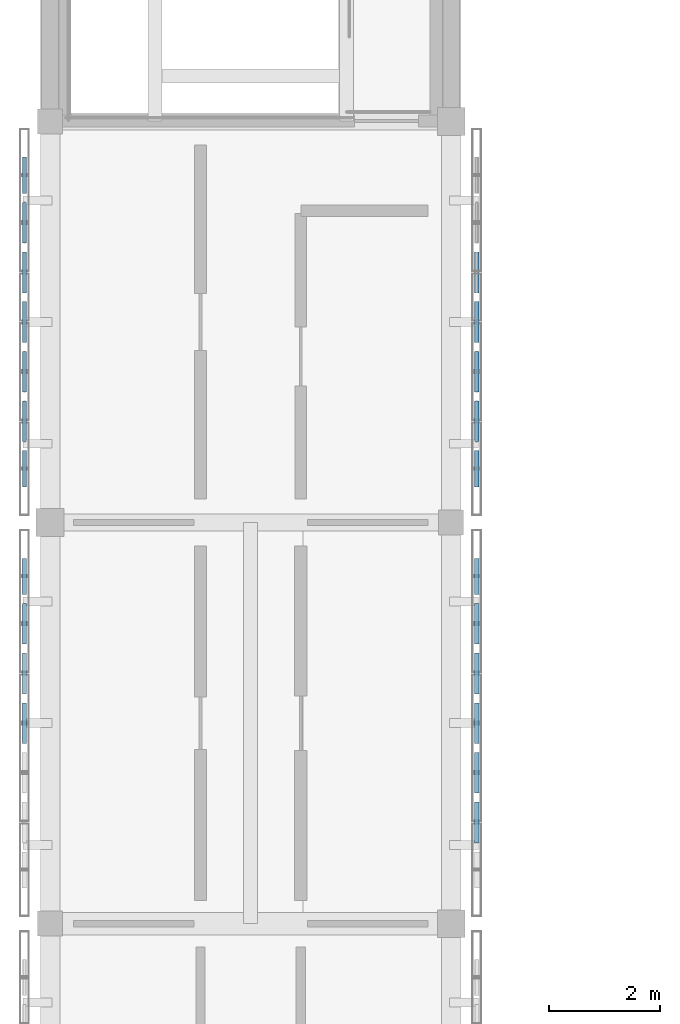
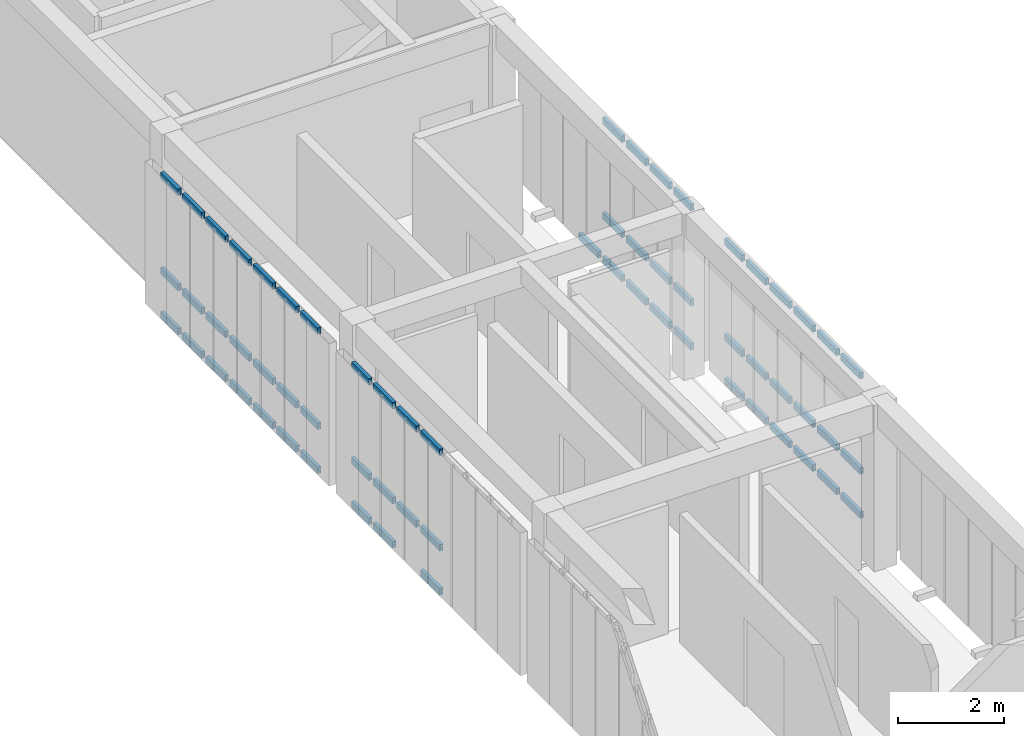
# One storey, part 4 of 14: 63 members, 4 elements without a shape of their own.
"""IFC4 building model written with IfcOpenShell, lengths in metres."""

from ifc_helpers import new_model, si_unit, direction, frame, origin, origin_2d, place, context, subcontext, project, spatial, hollow_rectangle, extrude, material, material_profile, profile_set, type_object, element, aggregate, save


model = new_model("IFC4")

# Units and contexts
model_context = context("Model", 3, precision=1e-05, world=origin(), true_north=direction((0.0, 1.0)))
body_context = subcontext(model_context, "Body", "Model", "MODEL_VIEW")
ifc_project = project(units=[si_unit("LENGTHUNIT", "METRE"), si_unit("AREAUNIT", "SQUARE_METRE"), si_unit("VOLUMEUNIT", "CUBIC_METRE"), si_unit("PLANEANGLEUNIT", "RADIAN"), si_unit("MASSUNIT", "GRAM", prefix="KILO")], contexts=[model_context])

# Site, building, storey
site_placement = place(None, origin())
site = spatial("IfcSite", under=ifc_project, at=site_placement, CompositionType="ELEMENT")
building_placement = place(site_placement, origin())
building = spatial("IfcBuilding", under=site, at=building_placement, Name="Aldebral Square Health Centre", CompositionType="ELEMENT")
storey_placement = place(building_placement, frame((0.0, 0.0, 21.60009765625)))
storey = spatial("IfcBuildingStorey", under=building, at=storey_placement, Name="L05", CompositionType="ELEMENT", Elevation=21.60009765625)

# Curtain wall, members
ifc_material_1 = material(Name="Aluminium and low-E solar glass", Category="aluminium")
curtain_wall_type = type_object("IfcCurtainWallType", Name="CW-FIN-SYS", PredefinedType="USERDEFINED", material=ifc_material_1)
curtain_wall_1_placement = place(storey_placement, origin())
curtain_wall_1 = element("IfcCurtainWall", 1, at=curtain_wall_1_placement, inside=storey, type_object=curtain_wall_type, Name="L05 V4 finned curtain wall L05-V4-00-11-W", ObjectType="SOLAR_CURTAIN_WALL", PredefinedType="USERDEFINED")
ifc_material_2 = material(Name="Anodised aluminium transom", Category="aluminium")
ifc_material_profile = material_profile(ifc_material_2, hollow_rectangle(XDim=0.074951171875, YDim=0.14990234375, WallThickness=0.00390625, at=origin_2d()), Name="CWT 75x150x4")
ifc_profile_set = profile_set([ifc_material_profile], Name="Anodised aluminium transom")
member_type = type_object("IfcMemberType", Name="CWT-STD", PredefinedType="USERDEFINED", material=ifc_profile_set)
member_1_placement = place(storey_placement, frame((-0.4599609375, 85.760009765625, 0.037353515625), z_axis=(0.0, -1.0, 0.0), x_axis=(1.0, 0.0, 0.0)))
member_1 = element("IfcMember", 2, at=member_1_placement, type_object=member_type, Name="CW1 transom 1.1", ObjectType="TRANSOM", PredefinedType="USERDEFINED", context=body_context, shape_type="SweptSolid", body=[
    extrude(hollow_rectangle(XDim=0.074951171875, YDim=0.14990234375, WallThickness=0.00390625, at=origin_2d()), origin(), (0.0, 0.0, 1.0), 0.6513671875),
])
member_2_placement = place(storey_placement, frame((-0.4599609375, 85.760009765625, 1.0498046875), z_axis=(0.0, -1.0, 0.0), x_axis=(1.0, 0.0, 0.0)))
member_2 = element("IfcMember", 3, at=member_2_placement, type_object=member_type, Name="CW1 transom 1.2", ObjectType="TRANSOM", PredefinedType="USERDEFINED", context=body_context, shape_type="SweptSolid", body=[
    extrude(hollow_rectangle(XDim=0.074951171875, YDim=0.14990234375, WallThickness=0.00390625, at=origin_2d()), origin(), (0.0, 0.0, 1.0), 0.6513671875),
])
member_3_placement = place(storey_placement, frame((-0.4599609375, 85.760009765625, 3.242431640625), z_axis=(0.0, -1.0, 0.0), x_axis=(1.0, 0.0, 0.0)))
member_3 = element("IfcMember", 4, at=member_3_placement, type_object=member_type, Name="CW1 transom 1.3", ObjectType="TRANSOM", PredefinedType="USERDEFINED", context=body_context, shape_type="SweptSolid", body=[
    extrude(hollow_rectangle(XDim=0.074951171875, YDim=0.14990234375, WallThickness=0.00390625, at=origin_2d()), origin(), (0.0, 0.0, 1.0), 0.6513671875),
])
member_4_placement = place(storey_placement, frame((-0.4599609375, 84.948486328125, 0.037353515625), z_axis=(0.0, -1.0, 0.0), x_axis=(1.0, 0.0, 0.0)))
member_4 = element("IfcMember", 5, at=member_4_placement, type_object=member_type, Name="CW1 transom 2.1", ObjectType="TRANSOM", PredefinedType="USERDEFINED", context=body_context, shape_type="SweptSolid", body=[
    extrude(hollow_rectangle(XDim=0.074951171875, YDim=0.14990234375, WallThickness=0.00390625, at=origin_2d()), origin(), (0.0, 0.0, 1.0), 0.7314453125),
])
member_5_placement = place(storey_placement, frame((-0.4599609375, 84.948486328125, 1.0498046875), z_axis=(0.0, -1.0, 0.0), x_axis=(1.0, 0.0, 0.0)))
member_5 = element("IfcMember", 6, at=member_5_placement, type_object=member_type, Name="CW1 transom 2.2", ObjectType="TRANSOM", PredefinedType="USERDEFINED", context=body_context, shape_type="SweptSolid", body=[
    extrude(hollow_rectangle(XDim=0.074951171875, YDim=0.14990234375, WallThickness=0.00390625, at=origin_2d()), origin(), (0.0, 0.0, 1.0), 0.7314453125),
])
member_6_placement = place(storey_placement, frame((-0.4599609375, 84.948486328125, 3.242431640625), z_axis=(0.0, -1.0, 0.0), x_axis=(1.0, 0.0, 0.0)))
member_6 = element("IfcMember", 7, at=member_6_placement, type_object=member_type, Name="CW1 transom 2.3", ObjectType="TRANSOM", PredefinedType="USERDEFINED", context=body_context, shape_type="SweptSolid", body=[
    extrude(hollow_rectangle(XDim=0.074951171875, YDim=0.14990234375, WallThickness=0.00390625, at=origin_2d()), origin(), (0.0, 0.0, 1.0), 0.7314453125),
])
member_7_placement = place(storey_placement, frame((-0.4599609375, 84.05712890625, 1.0498046875), z_axis=(0.0, -1.0, 0.0), x_axis=(1.0, 0.0, 0.0)))
member_7 = element("IfcMember", 8, at=member_7_placement, type_object=member_type, Name="CW1 transom 3.2", ObjectType="TRANSOM", PredefinedType="USERDEFINED", context=body_context, shape_type="SweptSolid", body=[
    extrude(hollow_rectangle(XDim=0.074951171875, YDim=0.14990234375, WallThickness=0.00390625, at=origin_2d()), origin(), (0.0, 0.0, 1.0), 0.7314453125),
])
member_8_placement = place(storey_placement, frame((-0.4599609375, 84.05712890625, 3.242431640625), z_axis=(0.0, -1.0, 0.0), x_axis=(1.0, 0.0, 0.0)))
member_8 = element("IfcMember", 9, at=member_8_placement, type_object=member_type, Name="CW1 transom 3.3", ObjectType="TRANSOM", PredefinedType="USERDEFINED", context=body_context, shape_type="SweptSolid", body=[
    extrude(hollow_rectangle(XDim=0.074951171875, YDim=0.14990234375, WallThickness=0.00390625, at=origin_2d()), origin(), (0.0, 0.0, 1.0), 0.7314453125),
])
member_9_placement = place(storey_placement, frame((-0.4599609375, 83.165771484375, 0.037353515625), z_axis=(0.0, -1.0, 0.0), x_axis=(1.0, 0.0, 0.0)))
member_9 = element("IfcMember", 10, at=member_9_placement, type_object=member_type, Name="CW1 transom 4.1", ObjectType="TRANSOM", PredefinedType="USERDEFINED", context=body_context, shape_type="SweptSolid", body=[
    extrude(hollow_rectangle(XDim=0.074951171875, YDim=0.14990234375, WallThickness=0.00390625, at=origin_2d()), origin(), (0.0, 0.0, 1.0), 0.7314453125),
])
member_10_placement = place(storey_placement, frame((-0.4599609375, 83.165771484375, 1.0498046875), z_axis=(0.0, -1.0, 0.0), x_axis=(1.0, 0.0, 0.0)))
member_10 = element("IfcMember", 11, at=member_10_placement, type_object=member_type, Name="CW1 transom 4.2", ObjectType="TRANSOM", PredefinedType="USERDEFINED", context=body_context, shape_type="SweptSolid", body=[
    extrude(hollow_rectangle(XDim=0.074951171875, YDim=0.14990234375, WallThickness=0.00390625, at=origin_2d()), origin(), (0.0, 0.0, 1.0), 0.7314453125),
])
member_11_placement = place(storey_placement, frame((-0.4599609375, 83.165771484375, 3.242431640625), z_axis=(0.0, -1.0, 0.0), x_axis=(1.0, 0.0, 0.0)))
member_11 = element("IfcMember", 12, at=member_11_placement, type_object=member_type, Name="CW1 transom 4.3", ObjectType="TRANSOM", PredefinedType="USERDEFINED", context=body_context, shape_type="SweptSolid", body=[
    extrude(hollow_rectangle(XDim=0.074951171875, YDim=0.14990234375, WallThickness=0.00390625, at=origin_2d()), origin(), (0.0, 0.0, 1.0), 0.7314453125),
])
aggregate(curtain_wall_1, [member_1, member_2, member_3, member_4, member_5, member_6, member_7, member_8, member_9, member_10, member_11])

curtain_wall_2_placement = place(storey_placement, origin())
curtain_wall_2 = element("IfcCurtainWall", 13, at=curtain_wall_2_placement, inside=storey, type_object=curtain_wall_type, Name="L05 V4 finned curtain wall L05-V4-00-11-E", ObjectType="SOLAR_CURTAIN_WALL", PredefinedType="USERDEFINED")
member_12_placement = place(storey_placement, frame((7.659912109375, 80.6513671875, 0.037353515625), z_axis=(0.0, 1.0, 0.0), x_axis=(-1.0, 0.0, 0.0)))
member_12 = element("IfcMember", 14, at=member_12_placement, type_object=member_type, Name="CW1 transom 2.1", ObjectType="TRANSOM", PredefinedType="USERDEFINED", context=body_context, shape_type="SweptSolid", body=[
    extrude(hollow_rectangle(XDim=0.074951171875, YDim=0.14990234375, WallThickness=0.00390625, at=origin_2d()), origin(), (0.0, 0.0, 1.0), 0.7314453125),
])
member_13_placement = place(storey_placement, frame((7.659912109375, 80.6513671875, 1.0498046875), z_axis=(0.0, 1.0, 0.0), x_axis=(-1.0, 0.0, 0.0)))
member_13 = element("IfcMember", 15, at=member_13_placement, type_object=member_type, Name="CW1 transom 2.2", ObjectType="TRANSOM", PredefinedType="USERDEFINED", context=body_context, shape_type="SweptSolid", body=[
    extrude(hollow_rectangle(XDim=0.074951171875, YDim=0.14990234375, WallThickness=0.00390625, at=origin_2d()), origin(), (0.0, 0.0, 1.0), 0.7314453125),
])
member_14_placement = place(storey_placement, frame((7.659912109375, 80.6513671875, 3.242431640625), z_axis=(0.0, 1.0, 0.0), x_axis=(-1.0, 0.0, 0.0)))
member_14 = element("IfcMember", 16, at=member_14_placement, type_object=member_type, Name="CW1 transom 2.3", ObjectType="TRANSOM", PredefinedType="USERDEFINED", context=body_context, shape_type="SweptSolid", body=[
    extrude(hollow_rectangle(XDim=0.074951171875, YDim=0.14990234375, WallThickness=0.00390625, at=origin_2d()), origin(), (0.0, 0.0, 1.0), 0.7314453125),
])
member_15_placement = place(storey_placement, frame((7.659912109375, 81.54296875, 0.037353515625), z_axis=(0.0, 1.0, 0.0), x_axis=(-1.0, 0.0, 0.0)))
member_15 = element("IfcMember", 17, at=member_15_placement, type_object=member_type, Name="CW1 transom 3.1", ObjectType="TRANSOM", PredefinedType="USERDEFINED", context=body_context, shape_type="SweptSolid", body=[
    extrude(hollow_rectangle(XDim=0.074951171875, YDim=0.14990234375, WallThickness=0.00390625, at=origin_2d()), origin(), (0.0, 0.0, 1.0), 0.731201171875),
])
member_16_placement = place(storey_placement, frame((7.659912109375, 81.54296875, 1.0498046875), z_axis=(0.0, 1.0, 0.0), x_axis=(-1.0, 0.0, 0.0)))
member_16 = element("IfcMember", 18, at=member_16_placement, type_object=member_type, Name="CW1 transom 3.2", ObjectType="TRANSOM", PredefinedType="USERDEFINED", context=body_context, shape_type="SweptSolid", body=[
    extrude(hollow_rectangle(XDim=0.074951171875, YDim=0.14990234375, WallThickness=0.00390625, at=origin_2d()), origin(), (0.0, 0.0, 1.0), 0.731201171875),
])
member_17_placement = place(storey_placement, frame((7.659912109375, 81.54296875, 3.242431640625), z_axis=(0.0, 1.0, 0.0), x_axis=(-1.0, 0.0, 0.0)))
member_17 = element("IfcMember", 19, at=member_17_placement, type_object=member_type, Name="CW1 transom 3.3", ObjectType="TRANSOM", PredefinedType="USERDEFINED", context=body_context, shape_type="SweptSolid", body=[
    extrude(hollow_rectangle(XDim=0.074951171875, YDim=0.14990234375, WallThickness=0.00390625, at=origin_2d()), origin(), (0.0, 0.0, 1.0), 0.731201171875),
])
member_18_placement = place(storey_placement, frame((7.659912109375, 82.434326171875, 0.037353515625), z_axis=(0.0, 1.0, 0.0), x_axis=(-1.0, 0.0, 0.0)))
member_18 = element("IfcMember", 20, at=member_18_placement, type_object=member_type, Name="CW1 transom 4.1", ObjectType="TRANSOM", PredefinedType="USERDEFINED", context=body_context, shape_type="SweptSolid", body=[
    extrude(hollow_rectangle(XDim=0.074951171875, YDim=0.14990234375, WallThickness=0.00390625, at=origin_2d()), origin(), (0.0, 0.0, 1.0), 0.7314453125),
])
member_19_placement = place(storey_placement, frame((7.659912109375, 82.434326171875, 1.0498046875), z_axis=(0.0, 1.0, 0.0), x_axis=(-1.0, 0.0, 0.0)))
member_19 = element("IfcMember", 21, at=member_19_placement, type_object=member_type, Name="CW1 transom 4.2", ObjectType="TRANSOM", PredefinedType="USERDEFINED", context=body_context, shape_type="SweptSolid", body=[
    extrude(hollow_rectangle(XDim=0.074951171875, YDim=0.14990234375, WallThickness=0.00390625, at=origin_2d()), origin(), (0.0, 0.0, 1.0), 0.7314453125),
])
member_20_placement = place(storey_placement, frame((7.659912109375, 82.434326171875, 3.242431640625), z_axis=(0.0, 1.0, 0.0), x_axis=(-1.0, 0.0, 0.0)))
member_20 = element("IfcMember", 22, at=member_20_placement, type_object=member_type, Name="CW1 transom 4.3", ObjectType="TRANSOM", PredefinedType="USERDEFINED", context=body_context, shape_type="SweptSolid", body=[
    extrude(hollow_rectangle(XDim=0.074951171875, YDim=0.14990234375, WallThickness=0.00390625, at=origin_2d()), origin(), (0.0, 0.0, 1.0), 0.7314453125),
])
member_21_placement = place(storey_placement, frame((7.659912109375, 83.32568359375, 0.037353515625), z_axis=(0.0, 1.0, 0.0), x_axis=(-1.0, 0.0, 0.0)))
member_21 = element("IfcMember", 23, at=member_21_placement, type_object=member_type, Name="CW1 transom 5.1", ObjectType="TRANSOM", PredefinedType="USERDEFINED", context=body_context, shape_type="SweptSolid", body=[
    extrude(hollow_rectangle(XDim=0.074951171875, YDim=0.14990234375, WallThickness=0.00390625, at=origin_2d()), origin(), (0.0, 0.0, 1.0), 0.7314453125),
])
member_22_placement = place(storey_placement, frame((7.659912109375, 83.32568359375, 1.0498046875), z_axis=(0.0, 1.0, 0.0), x_axis=(-1.0, 0.0, 0.0)))
member_22 = element("IfcMember", 24, at=member_22_placement, type_object=member_type, Name="CW1 transom 5.2", ObjectType="TRANSOM", PredefinedType="USERDEFINED", context=body_context, shape_type="SweptSolid", body=[
    extrude(hollow_rectangle(XDim=0.074951171875, YDim=0.14990234375, WallThickness=0.00390625, at=origin_2d()), origin(), (0.0, 0.0, 1.0), 0.7314453125),
])
member_23_placement = place(storey_placement, frame((7.659912109375, 83.32568359375, 3.242431640625), z_axis=(0.0, 1.0, 0.0), x_axis=(-1.0, 0.0, 0.0)))
member_23 = element("IfcMember", 25, at=member_23_placement, type_object=member_type, Name="CW1 transom 5.3", ObjectType="TRANSOM", PredefinedType="USERDEFINED", context=body_context, shape_type="SweptSolid", body=[
    extrude(hollow_rectangle(XDim=0.074951171875, YDim=0.14990234375, WallThickness=0.00390625, at=origin_2d()), origin(), (0.0, 0.0, 1.0), 0.7314453125),
])
member_24_placement = place(storey_placement, frame((7.659912109375, 84.217041015625, 0.037353515625), z_axis=(0.0, 1.0, 0.0), x_axis=(-1.0, 0.0, 0.0)))
member_24 = element("IfcMember", 26, at=member_24_placement, type_object=member_type, Name="CW1 transom 6.1", ObjectType="TRANSOM", PredefinedType="USERDEFINED", context=body_context, shape_type="SweptSolid", body=[
    extrude(hollow_rectangle(XDim=0.074951171875, YDim=0.14990234375, WallThickness=0.00390625, at=origin_2d()), origin(), (0.0, 0.0, 1.0), 0.7314453125),
])
member_25_placement = place(storey_placement, frame((7.659912109375, 84.217041015625, 1.0498046875), z_axis=(0.0, 1.0, 0.0), x_axis=(-1.0, 0.0, 0.0)))
member_25 = element("IfcMember", 27, at=member_25_placement, type_object=member_type, Name="CW1 transom 6.2", ObjectType="TRANSOM", PredefinedType="USERDEFINED", context=body_context, shape_type="SweptSolid", body=[
    extrude(hollow_rectangle(XDim=0.074951171875, YDim=0.14990234375, WallThickness=0.00390625, at=origin_2d()), origin(), (0.0, 0.0, 1.0), 0.7314453125),
])
member_26_placement = place(storey_placement, frame((7.659912109375, 84.217041015625, 3.242431640625), z_axis=(0.0, 1.0, 0.0), x_axis=(-1.0, 0.0, 0.0)))
member_26 = element("IfcMember", 28, at=member_26_placement, type_object=member_type, Name="CW1 transom 6.3", ObjectType="TRANSOM", PredefinedType="USERDEFINED", context=body_context, shape_type="SweptSolid", body=[
    extrude(hollow_rectangle(XDim=0.074951171875, YDim=0.14990234375, WallThickness=0.00390625, at=origin_2d()), origin(), (0.0, 0.0, 1.0), 0.7314453125),
])
member_27_placement = place(storey_placement, frame((7.659912109375, 85.108642578125, 0.037353515625), z_axis=(0.0, 1.0, 0.0), x_axis=(-1.0, 0.0, 0.0)))
member_27 = element("IfcMember", 29, at=member_27_placement, type_object=member_type, Name="CW1 transom 7.1", ObjectType="TRANSOM", PredefinedType="USERDEFINED", context=body_context, shape_type="SweptSolid", body=[
    extrude(hollow_rectangle(XDim=0.074951171875, YDim=0.14990234375, WallThickness=0.00390625, at=origin_2d()), origin(), (0.0, 0.0, 1.0), 0.6513671875),
])
member_28_placement = place(storey_placement, frame((7.659912109375, 85.108642578125, 1.0498046875), z_axis=(0.0, 1.0, 0.0), x_axis=(-1.0, 0.0, 0.0)))
member_28 = element("IfcMember", 30, at=member_28_placement, type_object=member_type, Name="CW1 transom 7.2", ObjectType="TRANSOM", PredefinedType="USERDEFINED", context=body_context, shape_type="SweptSolid", body=[
    extrude(hollow_rectangle(XDim=0.074951171875, YDim=0.14990234375, WallThickness=0.00390625, at=origin_2d()), origin(), (0.0, 0.0, 1.0), 0.6513671875),
])
member_29_placement = place(storey_placement, frame((7.659912109375, 85.108642578125, 3.242431640625), z_axis=(0.0, 1.0, 0.0), x_axis=(-1.0, 0.0, 0.0)))
member_29 = element("IfcMember", 31, at=member_29_placement, type_object=member_type, Name="CW1 transom 7.3", ObjectType="TRANSOM", PredefinedType="USERDEFINED", context=body_context, shape_type="SweptSolid", body=[
    extrude(hollow_rectangle(XDim=0.074951171875, YDim=0.14990234375, WallThickness=0.00390625, at=origin_2d()), origin(), (0.0, 0.0, 1.0), 0.6513671875),
])
aggregate(curtain_wall_2, [member_12, member_13, member_14, member_15, member_16, member_17, member_18, member_19, member_20, member_21, member_22, member_23, member_24, member_25, member_26, member_27, member_28, member_29])

curtain_wall_3_placement = place(storey_placement, origin())
curtain_wall_3 = element("IfcCurtainWall", 32, at=curtain_wall_3_placement, inside=storey, type_object=curtain_wall_type, Name="L05 V4 finned curtain wall L05-V4-00-12-W", ObjectType="SOLAR_CURTAIN_WALL", PredefinedType="USERDEFINED")
member_30_placement = place(storey_placement, frame((-0.4599609375, 92.9599609375, 0.037353515625), z_axis=(0.0, -1.0, 0.0), x_axis=(1.0, 0.0, 0.0)))
member_30 = element("IfcMember", 33, at=member_30_placement, type_object=member_type, Name="CW1 transom 1.1", ObjectType="TRANSOM", PredefinedType="USERDEFINED", context=body_context, shape_type="SweptSolid", body=[
    extrude(hollow_rectangle(XDim=0.074951171875, YDim=0.14990234375, WallThickness=0.00390625, at=origin_2d()), origin(), (0.0, 0.0, 1.0), 0.6513671875),
])
member_31_placement = place(storey_placement, frame((-0.4599609375, 92.9599609375, 1.0498046875), z_axis=(0.0, -1.0, 0.0), x_axis=(1.0, 0.0, 0.0)))
member_31 = element("IfcMember", 34, at=member_31_placement, type_object=member_type, Name="CW1 transom 1.2", ObjectType="TRANSOM", PredefinedType="USERDEFINED", context=body_context, shape_type="SweptSolid", body=[
    extrude(hollow_rectangle(XDim=0.074951171875, YDim=0.14990234375, WallThickness=0.00390625, at=origin_2d()), origin(), (0.0, 0.0, 1.0), 0.6513671875),
])
member_32_placement = place(storey_placement, frame((-0.4599609375, 92.9599609375, 3.242431640625), z_axis=(0.0, -1.0, 0.0), x_axis=(1.0, 0.0, 0.0)))
member_32 = element("IfcMember", 35, at=member_32_placement, type_object=member_type, Name="CW1 transom 1.3", ObjectType="TRANSOM", PredefinedType="USERDEFINED", context=body_context, shape_type="SweptSolid", body=[
    extrude(hollow_rectangle(XDim=0.074951171875, YDim=0.14990234375, WallThickness=0.00390625, at=origin_2d()), origin(), (0.0, 0.0, 1.0), 0.6513671875),
])
member_33_placement = place(storey_placement, frame((-0.4599609375, 92.148681640625, 0.037353515625), z_axis=(0.0, -1.0, 0.0), x_axis=(1.0, 0.0, 0.0)))
member_33 = element("IfcMember", 36, at=member_33_placement, type_object=member_type, Name="CW1 transom 2.1", ObjectType="TRANSOM", PredefinedType="USERDEFINED", context=body_context, shape_type="SweptSolid", body=[
    extrude(hollow_rectangle(XDim=0.074951171875, YDim=0.14990234375, WallThickness=0.00390625, at=origin_2d()), origin(), (0.0, 0.0, 1.0), 0.7314453125),
])
member_34_placement = place(storey_placement, frame((-0.4599609375, 92.148681640625, 1.0498046875), z_axis=(0.0, -1.0, 0.0), x_axis=(1.0, 0.0, 0.0)))
member_34 = element("IfcMember", 37, at=member_34_placement, type_object=member_type, Name="CW1 transom 2.2", ObjectType="TRANSOM", PredefinedType="USERDEFINED", context=body_context, shape_type="SweptSolid", body=[
    extrude(hollow_rectangle(XDim=0.074951171875, YDim=0.14990234375, WallThickness=0.00390625, at=origin_2d()), origin(), (0.0, 0.0, 1.0), 0.7314453125),
])
member_35_placement = place(storey_placement, frame((-0.4599609375, 92.148681640625, 3.242431640625), z_axis=(0.0, -1.0, 0.0), x_axis=(1.0, 0.0, 0.0)))
member_35 = element("IfcMember", 38, at=member_35_placement, type_object=member_type, Name="CW1 transom 2.3", ObjectType="TRANSOM", PredefinedType="USERDEFINED", context=body_context, shape_type="SweptSolid", body=[
    extrude(hollow_rectangle(XDim=0.074951171875, YDim=0.14990234375, WallThickness=0.00390625, at=origin_2d()), origin(), (0.0, 0.0, 1.0), 0.7314453125),
])
member_36_placement = place(storey_placement, frame((-0.4599609375, 91.257080078125, 0.037353515625), z_axis=(0.0, -1.0, 0.0), x_axis=(1.0, 0.0, 0.0)))
member_36 = element("IfcMember", 39, at=member_36_placement, type_object=member_type, Name="CW1 transom 3.1", ObjectType="TRANSOM", PredefinedType="USERDEFINED", context=body_context, shape_type="SweptSolid", body=[
    extrude(hollow_rectangle(XDim=0.074951171875, YDim=0.14990234375, WallThickness=0.00390625, at=origin_2d()), origin(), (0.0, 0.0, 1.0), 0.7314453125),
])
member_37_placement = place(storey_placement, frame((-0.4599609375, 91.257080078125, 1.0498046875), z_axis=(0.0, -1.0, 0.0), x_axis=(1.0, 0.0, 0.0)))
member_37 = element("IfcMember", 40, at=member_37_placement, type_object=member_type, Name="CW1 transom 3.2", ObjectType="TRANSOM", PredefinedType="USERDEFINED", context=body_context, shape_type="SweptSolid", body=[
    extrude(hollow_rectangle(XDim=0.074951171875, YDim=0.14990234375, WallThickness=0.00390625, at=origin_2d()), origin(), (0.0, 0.0, 1.0), 0.7314453125),
])
member_38_placement = place(storey_placement, frame((-0.4599609375, 91.257080078125, 3.242431640625), z_axis=(0.0, -1.0, 0.0), x_axis=(1.0, 0.0, 0.0)))
member_38 = element("IfcMember", 41, at=member_38_placement, type_object=member_type, Name="CW1 transom 3.3", ObjectType="TRANSOM", PredefinedType="USERDEFINED", context=body_context, shape_type="SweptSolid", body=[
    extrude(hollow_rectangle(XDim=0.074951171875, YDim=0.14990234375, WallThickness=0.00390625, at=origin_2d()), origin(), (0.0, 0.0, 1.0), 0.7314453125),
])
member_39_placement = place(storey_placement, frame((-0.4599609375, 90.36572265625, 0.037353515625), z_axis=(0.0, -1.0, 0.0), x_axis=(1.0, 0.0, 0.0)))
member_39 = element("IfcMember", 42, at=member_39_placement, type_object=member_type, Name="CW1 transom 4.1", ObjectType="TRANSOM", PredefinedType="USERDEFINED", context=body_context, shape_type="SweptSolid", body=[
    extrude(hollow_rectangle(XDim=0.074951171875, YDim=0.14990234375, WallThickness=0.00390625, at=origin_2d()), origin(), (0.0, 0.0, 1.0), 0.7314453125),
])
member_40_placement = place(storey_placement, frame((-0.4599609375, 90.36572265625, 1.0498046875), z_axis=(0.0, -1.0, 0.0), x_axis=(1.0, 0.0, 0.0)))
member_40 = element("IfcMember", 43, at=member_40_placement, type_object=member_type, Name="CW1 transom 4.2", ObjectType="TRANSOM", PredefinedType="USERDEFINED", context=body_context, shape_type="SweptSolid", body=[
    extrude(hollow_rectangle(XDim=0.074951171875, YDim=0.14990234375, WallThickness=0.00390625, at=origin_2d()), origin(), (0.0, 0.0, 1.0), 0.7314453125),
])
member_41_placement = place(storey_placement, frame((-0.4599609375, 90.36572265625, 3.242431640625), z_axis=(0.0, -1.0, 0.0), x_axis=(1.0, 0.0, 0.0)))
member_41 = element("IfcMember", 44, at=member_41_placement, type_object=member_type, Name="CW1 transom 4.3", ObjectType="TRANSOM", PredefinedType="USERDEFINED", context=body_context, shape_type="SweptSolid", body=[
    extrude(hollow_rectangle(XDim=0.074951171875, YDim=0.14990234375, WallThickness=0.00390625, at=origin_2d()), origin(), (0.0, 0.0, 1.0), 0.7314453125),
])
member_42_placement = place(storey_placement, frame((-0.4599609375, 89.474365234375, 0.037353515625), z_axis=(0.0, -1.0, 0.0), x_axis=(1.0, 0.0, 0.0)))
member_42 = element("IfcMember", 45, at=member_42_placement, type_object=member_type, Name="CW1 transom 5.1", ObjectType="TRANSOM", PredefinedType="USERDEFINED", context=body_context, shape_type="SweptSolid", body=[
    extrude(hollow_rectangle(XDim=0.074951171875, YDim=0.14990234375, WallThickness=0.00390625, at=origin_2d()), origin(), (0.0, 0.0, 1.0), 0.7314453125),
])
member_43_placement = place(storey_placement, frame((-0.4599609375, 89.474365234375, 1.0498046875), z_axis=(0.0, -1.0, 0.0), x_axis=(1.0, 0.0, 0.0)))
member_43 = element("IfcMember", 46, at=member_43_placement, type_object=member_type, Name="CW1 transom 5.2", ObjectType="TRANSOM", PredefinedType="USERDEFINED", context=body_context, shape_type="SweptSolid", body=[
    extrude(hollow_rectangle(XDim=0.074951171875, YDim=0.14990234375, WallThickness=0.00390625, at=origin_2d()), origin(), (0.0, 0.0, 1.0), 0.7314453125),
])
member_44_placement = place(storey_placement, frame((-0.4599609375, 89.474365234375, 3.242431640625), z_axis=(0.0, -1.0, 0.0), x_axis=(1.0, 0.0, 0.0)))
member_44 = element("IfcMember", 47, at=member_44_placement, type_object=member_type, Name="CW1 transom 5.3", ObjectType="TRANSOM", PredefinedType="USERDEFINED", context=body_context, shape_type="SweptSolid", body=[
    extrude(hollow_rectangle(XDim=0.074951171875, YDim=0.14990234375, WallThickness=0.00390625, at=origin_2d()), origin(), (0.0, 0.0, 1.0), 0.7314453125),
])
member_45_placement = place(storey_placement, frame((-0.4599609375, 88.582763671875, 0.037353515625), z_axis=(0.0, -1.0, 0.0), x_axis=(1.0, 0.0, 0.0)))
member_45 = element("IfcMember", 48, at=member_45_placement, type_object=member_type, Name="CW1 transom 6.1", ObjectType="TRANSOM", PredefinedType="USERDEFINED", context=body_context, shape_type="SweptSolid", body=[
    extrude(hollow_rectangle(XDim=0.074951171875, YDim=0.14990234375, WallThickness=0.00390625, at=origin_2d()), origin(), (0.0, 0.0, 1.0), 0.7314453125),
])
member_46_placement = place(storey_placement, frame((-0.4599609375, 88.582763671875, 1.0498046875), z_axis=(0.0, -1.0, 0.0), x_axis=(1.0, 0.0, 0.0)))
member_46 = element("IfcMember", 49, at=member_46_placement, type_object=member_type, Name="CW1 transom 6.2", ObjectType="TRANSOM", PredefinedType="USERDEFINED", context=body_context, shape_type="SweptSolid", body=[
    extrude(hollow_rectangle(XDim=0.074951171875, YDim=0.14990234375, WallThickness=0.00390625, at=origin_2d()), origin(), (0.0, 0.0, 1.0), 0.7314453125),
])
member_47_placement = place(storey_placement, frame((-0.4599609375, 88.582763671875, 3.242431640625), z_axis=(0.0, -1.0, 0.0), x_axis=(1.0, 0.0, 0.0)))
member_47 = element("IfcMember", 50, at=member_47_placement, type_object=member_type, Name="CW1 transom 6.3", ObjectType="TRANSOM", PredefinedType="USERDEFINED", context=body_context, shape_type="SweptSolid", body=[
    extrude(hollow_rectangle(XDim=0.074951171875, YDim=0.14990234375, WallThickness=0.00390625, at=origin_2d()), origin(), (0.0, 0.0, 1.0), 0.7314453125),
])
member_48_placement = place(storey_placement, frame((-0.4599609375, 87.69140625, 0.037353515625), z_axis=(0.0, -1.0, 0.0), x_axis=(1.0, 0.0, 0.0)))
member_48 = element("IfcMember", 51, at=member_48_placement, type_object=member_type, Name="CW1 transom 7.1", ObjectType="TRANSOM", PredefinedType="USERDEFINED", context=body_context, shape_type="SweptSolid", body=[
    extrude(hollow_rectangle(XDim=0.074951171875, YDim=0.14990234375, WallThickness=0.00390625, at=origin_2d()), origin(), (0.0, 0.0, 1.0), 0.6513671875),
])
member_49_placement = place(storey_placement, frame((-0.4599609375, 87.69140625, 1.0498046875), z_axis=(0.0, -1.0, 0.0), x_axis=(1.0, 0.0, 0.0)))
member_49 = element("IfcMember", 52, at=member_49_placement, type_object=member_type, Name="CW1 transom 7.2", ObjectType="TRANSOM", PredefinedType="USERDEFINED", context=body_context, shape_type="SweptSolid", body=[
    extrude(hollow_rectangle(XDim=0.074951171875, YDim=0.14990234375, WallThickness=0.00390625, at=origin_2d()), origin(), (0.0, 0.0, 1.0), 0.6513671875),
])
member_50_placement = place(storey_placement, frame((-0.4599609375, 87.69140625, 3.242431640625), z_axis=(0.0, -1.0, 0.0), x_axis=(1.0, 0.0, 0.0)))
member_50 = element("IfcMember", 53, at=member_50_placement, type_object=member_type, Name="CW1 transom 7.3", ObjectType="TRANSOM", PredefinedType="USERDEFINED", context=body_context, shape_type="SweptSolid", body=[
    extrude(hollow_rectangle(XDim=0.074951171875, YDim=0.14990234375, WallThickness=0.00390625, at=origin_2d()), origin(), (0.0, 0.0, 1.0), 0.6513671875),
])
aggregate(curtain_wall_3, [member_30, member_31, member_32, member_33, member_34, member_35, member_36, member_37, member_38, member_39, member_40, member_41, member_42, member_43, member_44, member_45, member_46, member_47, member_48, member_49, member_50])

curtain_wall_4_placement = place(storey_placement, origin())
curtain_wall_4 = element("IfcCurtainWall", 54, at=curtain_wall_4_placement, inside=storey, type_object=curtain_wall_type, Name="L05 V4 finned curtain wall L05-V4-00-12-E", ObjectType="SOLAR_CURTAIN_WALL", PredefinedType="USERDEFINED")
member_51_placement = place(storey_placement, frame((7.659912109375, 87.0400390625, 0.037353515625), z_axis=(0.0, 1.0, 0.0), x_axis=(-1.0, 0.0, 0.0)))
member_51 = element("IfcMember", 55, at=member_51_placement, type_object=member_type, Name="CW1 transom 1.1", ObjectType="TRANSOM", PredefinedType="USERDEFINED", context=body_context, shape_type="SweptSolid", body=[
    extrude(hollow_rectangle(XDim=0.074951171875, YDim=0.14990234375, WallThickness=0.00390625, at=origin_2d()), origin(), (0.0, 0.0, 1.0), 0.6513671875),
])
member_52_placement = place(storey_placement, frame((7.659912109375, 87.0400390625, 1.0498046875), z_axis=(0.0, 1.0, 0.0), x_axis=(-1.0, 0.0, 0.0)))
member_52 = element("IfcMember", 56, at=member_52_placement, type_object=member_type, Name="CW1 transom 1.2", ObjectType="TRANSOM", PredefinedType="USERDEFINED", context=body_context, shape_type="SweptSolid", body=[
    extrude(hollow_rectangle(XDim=0.074951171875, YDim=0.14990234375, WallThickness=0.00390625, at=origin_2d()), origin(), (0.0, 0.0, 1.0), 0.6513671875),
])
member_53_placement = place(storey_placement, frame((7.659912109375, 87.0400390625, 3.242431640625), z_axis=(0.0, 1.0, 0.0), x_axis=(-1.0, 0.0, 0.0)))
member_53 = element("IfcMember", 57, at=member_53_placement, type_object=member_type, Name="CW1 transom 1.3", ObjectType="TRANSOM", PredefinedType="USERDEFINED", context=body_context, shape_type="SweptSolid", body=[
    extrude(hollow_rectangle(XDim=0.074951171875, YDim=0.14990234375, WallThickness=0.00390625, at=origin_2d()), origin(), (0.0, 0.0, 1.0), 0.6513671875),
])
member_54_placement = place(storey_placement, frame((7.659912109375, 87.851318359375, 0.037353515625), z_axis=(0.0, 1.0, 0.0), x_axis=(-1.0, 0.0, 0.0)))
member_54 = element("IfcMember", 58, at=member_54_placement, type_object=member_type, Name="CW1 transom 2.1", ObjectType="TRANSOM", PredefinedType="USERDEFINED", context=body_context, shape_type="SweptSolid", body=[
    extrude(hollow_rectangle(XDim=0.074951171875, YDim=0.14990234375, WallThickness=0.00390625, at=origin_2d()), origin(), (0.0, 0.0, 1.0), 0.7314453125),
])
member_55_placement = place(storey_placement, frame((7.659912109375, 87.851318359375, 1.0498046875), z_axis=(0.0, 1.0, 0.0), x_axis=(-1.0, 0.0, 0.0)))
member_55 = element("IfcMember", 59, at=member_55_placement, type_object=member_type, Name="CW1 transom 2.2", ObjectType="TRANSOM", PredefinedType="USERDEFINED", context=body_context, shape_type="SweptSolid", body=[
    extrude(hollow_rectangle(XDim=0.074951171875, YDim=0.14990234375, WallThickness=0.00390625, at=origin_2d()), origin(), (0.0, 0.0, 1.0), 0.7314453125),
])
member_56_placement = place(storey_placement, frame((7.659912109375, 87.851318359375, 3.242431640625), z_axis=(0.0, 1.0, 0.0), x_axis=(-1.0, 0.0, 0.0)))
member_56 = element("IfcMember", 60, at=member_56_placement, type_object=member_type, Name="CW1 transom 2.3", ObjectType="TRANSOM", PredefinedType="USERDEFINED", context=body_context, shape_type="SweptSolid", body=[
    extrude(hollow_rectangle(XDim=0.074951171875, YDim=0.14990234375, WallThickness=0.00390625, at=origin_2d()), origin(), (0.0, 0.0, 1.0), 0.7314453125),
])
member_57_placement = place(storey_placement, frame((7.659912109375, 88.742919921875, 0.037353515625), z_axis=(0.0, 1.0, 0.0), x_axis=(-1.0, 0.0, 0.0)))
member_57 = element("IfcMember", 61, at=member_57_placement, type_object=member_type, Name="CW1 transom 3.1", ObjectType="TRANSOM", PredefinedType="USERDEFINED", context=body_context, shape_type="SweptSolid", body=[
    extrude(hollow_rectangle(XDim=0.074951171875, YDim=0.14990234375, WallThickness=0.00390625, at=origin_2d()), origin(), (0.0, 0.0, 1.0), 0.7314453125),
])
member_58_placement = place(storey_placement, frame((7.659912109375, 88.742919921875, 1.0498046875), z_axis=(0.0, 1.0, 0.0), x_axis=(-1.0, 0.0, 0.0)))
member_58 = element("IfcMember", 62, at=member_58_placement, type_object=member_type, Name="CW1 transom 3.2", ObjectType="TRANSOM", PredefinedType="USERDEFINED", context=body_context, shape_type="SweptSolid", body=[
    extrude(hollow_rectangle(XDim=0.074951171875, YDim=0.14990234375, WallThickness=0.00390625, at=origin_2d()), origin(), (0.0, 0.0, 1.0), 0.7314453125),
])
member_59_placement = place(storey_placement, frame((7.659912109375, 88.742919921875, 3.242431640625), z_axis=(0.0, 1.0, 0.0), x_axis=(-1.0, 0.0, 0.0)))
member_59 = element("IfcMember", 63, at=member_59_placement, type_object=member_type, Name="CW1 transom 3.3", ObjectType="TRANSOM", PredefinedType="USERDEFINED", context=body_context, shape_type="SweptSolid", body=[
    extrude(hollow_rectangle(XDim=0.074951171875, YDim=0.14990234375, WallThickness=0.00390625, at=origin_2d()), origin(), (0.0, 0.0, 1.0), 0.7314453125),
])
member_60_placement = place(storey_placement, frame((7.659912109375, 89.63427734375, 0.037353515625), z_axis=(0.0, 1.0, 0.0), x_axis=(-1.0, 0.0, 0.0)))
member_60 = element("IfcMember", 64, at=member_60_placement, type_object=member_type, Name="CW1 transom 4.1", ObjectType="TRANSOM", PredefinedType="USERDEFINED", context=body_context, shape_type="SweptSolid", body=[
    extrude(hollow_rectangle(XDim=0.074951171875, YDim=0.14990234375, WallThickness=0.00390625, at=origin_2d()), origin(), (0.0, 0.0, 1.0), 0.7314453125),
])
member_61_placement = place(storey_placement, frame((7.659912109375, 89.63427734375, 1.0498046875), z_axis=(0.0, 1.0, 0.0), x_axis=(-1.0, 0.0, 0.0)))
member_61 = element("IfcMember", 65, at=member_61_placement, type_object=member_type, Name="CW1 transom 4.2", ObjectType="TRANSOM", PredefinedType="USERDEFINED", context=body_context, shape_type="SweptSolid", body=[
    extrude(hollow_rectangle(XDim=0.074951171875, YDim=0.14990234375, WallThickness=0.00390625, at=origin_2d()), origin(), (0.0, 0.0, 1.0), 0.7314453125),
])
member_62_placement = place(storey_placement, frame((7.659912109375, 89.63427734375, 3.242431640625), z_axis=(0.0, 1.0, 0.0), x_axis=(-1.0, 0.0, 0.0)))
member_62 = element("IfcMember", 66, at=member_62_placement, type_object=member_type, Name="CW1 transom 4.3", ObjectType="TRANSOM", PredefinedType="USERDEFINED", context=body_context, shape_type="SweptSolid", body=[
    extrude(hollow_rectangle(XDim=0.074951171875, YDim=0.14990234375, WallThickness=0.00390625, at=origin_2d()), origin(), (0.0, 0.0, 1.0), 0.7314453125),
])
member_63_placement = place(storey_placement, frame((7.659912109375, 90.525634765625, 0.037353515625), z_axis=(0.0, 1.0, 0.0), x_axis=(-1.0, 0.0, 0.0)))
member_63 = element("IfcMember", 67, at=member_63_placement, type_object=member_type, Name="CW1 transom 5.1", ObjectType="TRANSOM", PredefinedType="USERDEFINED", context=body_context, shape_type="SweptSolid", body=[
    extrude(hollow_rectangle(XDim=0.074951171875, YDim=0.14990234375, WallThickness=0.00390625, at=origin_2d()), origin(), (0.0, 0.0, 1.0), 0.7314453125),
])
aggregate(curtain_wall_4, [member_51, member_52, member_53, member_54, member_55, member_56, member_57, member_58, member_59, member_60, member_61, member_62, member_63])

save(model, "model.ifc")
